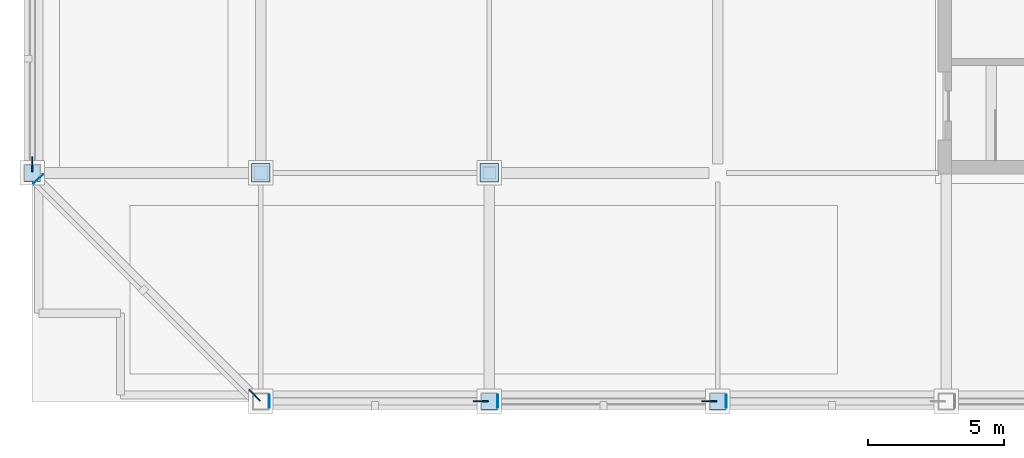
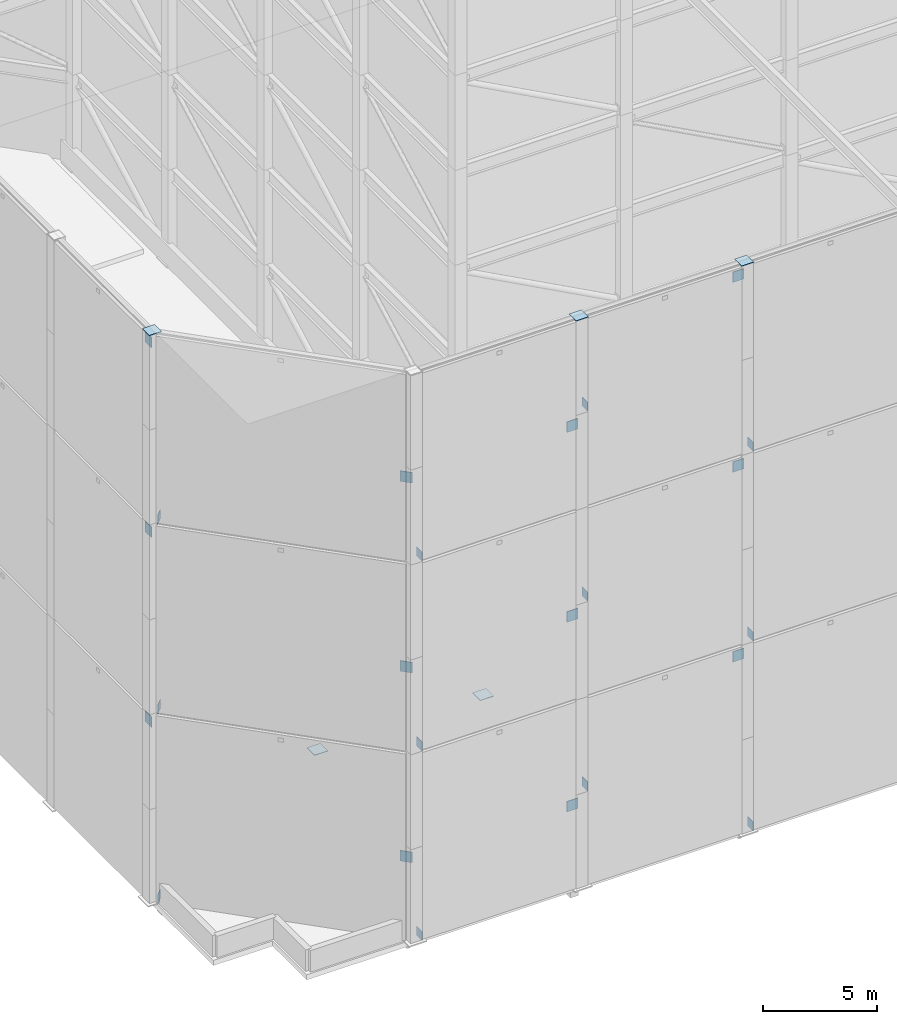
# One storey, part 8 of 17: 29 plates.
"""IFC4 building model written with IfcOpenShell, lengths in metres."""

from ifc_helpers import new_model, si_unit, direction, frame, origin, origin_2d, place, context, subcontext, project, spatial, rectangle, extrude, material, layer, layer_set, type_object, element, save


model = new_model("IFC4")

# Units and contexts
model_context = context("Model", 3, precision=1e-05, world=origin(), true_north=direction((0.0, 1.0)))
body_context = subcontext(model_context, "Body", "Model", "MODEL_VIEW")
ifc_project = project(units=[si_unit("LENGTHUNIT", "METRE"), si_unit("AREAUNIT", "SQUARE_METRE"), si_unit("VOLUMEUNIT", "CUBIC_METRE"), si_unit("PLANEANGLEUNIT", "RADIAN"), si_unit("MASSUNIT", "GRAM", prefix="KILO")], contexts=[model_context])

# Site, building, storey
site_placement = place(None, origin())
site = spatial("IfcSite", under=ifc_project, at=site_placement, CompositionType="ELEMENT")
building_placement = place(site_placement, origin())
building = spatial("IfcBuilding", under=site, at=building_placement, Name="Koriwani Terraces Tower", CompositionType="ELEMENT")
storey_placement = place(building_placement, frame((0.0, 0.0, 374.0)))
storey = spatial("IfcBuildingStorey", under=building, at=storey_placement, Name="RF", CompositionType="ELEMENT", Elevation=374.0)

# Plates
ifc_material = material(Name="Steel ASTM A572 Grade 50", Category="steel")
ifc_layer_1 = layer(ifc_material, 0.02490234375, Name="Steel ASTM A572 Grade 50")
ifc_layer_set_1 = layer_set([ifc_layer_1], Name="Steel ASTM A572 Grade 50")
plate_type_1 = type_object("IfcPlateType", Name="STEEL_CAP_PLATE_25", PredefinedType="USERDEFINED", material=ifc_layer_set_1)
for number, where, z_axis, x_axis, name in (
    (1, (25.199951171875, 8.39990234375, 30.51513671875), (0.0, 0.0, 1.0), (1.0, 0.0, 0.0), "Crown Frame Column Cap Plate EP-02"),
    (2, (33.60009765625, 8.39990234375, 30.51513671875), (0.0, 0.0, 1.0), (1.0, 0.0, 0.0), "Crown Frame Column Cap Plate EP-03"),
    (3, (8.39990234375, 16.800048828125, 30.51513671875), (0.0, 0.0, 1.0), (1.0, 0.0, 0.0), "Crown Frame Column Cap Plate EP-25"),
):
    element("IfcPlate", number, at=place(storey_placement, frame(where, z_axis=z_axis, x_axis=x_axis)), inside=storey, type_object=plate_type_1, Name=name, ObjectType="FLANGE_PLATE", PredefinedType="USERDEFINED", context=body_context, shape_type="SweptSolid", body=[
        extrude(rectangle(XDim=0.6201171875, YDim=0.6201171875, at=origin_2d()), origin(), (0.0, 0.0, 1.0), 0.02490234375),
    ])
for number, where, z_axis, x_axis, name in (
    (4, (16.800048828125, 16.800048828125, 5.090087890625), (0.0, 0.0, 1.0), (1.0, 0.0, 0.0), "Crown Equipment Column Cap Plate EQ-01"),
    (5, (25.199951171875, 16.800048828125, 5.090087890625), (0.0, 0.0, 1.0), (1.0, 0.0, 0.0), "Crown Equipment Column Cap Plate EQ-02"),
):
    element("IfcPlate", number, at=place(storey_placement, frame(where, z_axis=z_axis, x_axis=x_axis)), inside=storey, type_object=plate_type_1, Name=name, ObjectType="FLANGE_PLATE", PredefinedType="USERDEFINED", context=body_context, shape_type="SweptSolid", body=[
        extrude(rectangle(XDim=0.679931640625, YDim=0.679931640625, at=origin_2d()), origin(), (0.0, 0.0, 1.0), 0.02490234375),
    ])
for number, where, z_axis, x_axis, name in (
    (6, (17.115234375, 8.39990234375, -0.02099609375), (0.0, 0.0, 1.0), (1.0, 0.0, 0.0), "Brace End Cap Plate CFBR-T1-S00"),
    (7, (33.915283203125, 8.39990234375, -0.02099609375), (0.0, 0.0, 1.0), (1.0, 0.0, 0.0), "Brace End Cap Plate CFBR-T1-S02"),
    (8, (8.62451171875, 16.575439453125, -0.02587890625), (0.0, 0.0, 1.0), (0.707106781187, -0.707106781187, 0.0), "Brace End Cap Plate CFBR-T1-S24"),
    (9, (25.51513671875, 8.39990234375, 5.06884765625), (0.0, 0.0, 1.0), (1.0, 0.0, 0.0), "Brace End Cap Plate CFBR-T2-S01"),
    (10, (17.115234375, 8.39990234375, 10.158935546875), (0.0, 0.0, 1.0), (1.0, 0.0, 0.0), "Brace End Cap Plate CFBR-T3-S00"),
    (11, (33.915283203125, 8.39990234375, 10.158935546875), (0.0, 0.0, 1.0), (1.0, 0.0, 0.0), "Brace End Cap Plate CFBR-T3-S02"),
    (12, (8.62451171875, 16.575439453125, 10.154052734375), (0.0, 0.0, 1.0), (0.707106781187, -0.707106781187, 0.0), "Brace End Cap Plate CFBR-T3-S24"),
    (13, (25.51513671875, 8.39990234375, 15.2490234375), (0.0, 0.0, 1.0), (1.0, 0.0, 0.0), "Brace End Cap Plate CFBR-T4-S01"),
    (14, (17.115234375, 8.39990234375, 20.3388671875), (0.0, 0.0, 1.0), (1.0, 0.0, 0.0), "Brace End Cap Plate CFBR-T5-S00"),
    (15, (33.915283203125, 8.39990234375, 20.3388671875), (0.0, 0.0, 1.0), (1.0, 0.0, 0.0), "Brace End Cap Plate CFBR-T5-S02"),
    (16, (8.62451171875, 16.575439453125, 20.333984375), (0.0, 0.0, 1.0), (0.707106781187, -0.707106781187, 0.0), "Brace End Cap Plate CFBR-T5-S24"),
    (17, (25.51513671875, 8.39990234375, 25.428955078125), (0.0, 0.0, 1.0), (1.0, 0.0, 0.0), "Brace End Cap Plate CFBR-T6-S01"),
):
    element("IfcPlate", number, at=place(storey_placement, frame(where, z_axis=z_axis, x_axis=x_axis)), inside=storey, type_object=plate_type_1, Name=name, ObjectType="FLANGE_PLATE", PredefinedType="USERDEFINED", context=body_context, shape_type="SweptSolid", body=[
        extrude(rectangle(XDim=0.02490234375, YDim=0.47998046875, at=origin_2d()), origin(), (0.0, 0.0, 1.0), 0.47998046875),
    ])
ifc_layer_2 = layer(ifc_material, 0.0400390625, Name="Steel ASTM A572 Grade 50")
ifc_layer_set_2 = layer_set([ifc_layer_2], Name="Steel ASTM A572 Grade 50")
plate_type_2 = type_object("IfcPlateType", Name="STEEL_GUSSET_PLATE_40", PredefinedType="USERDEFINED", material=ifc_layer_set_2)
for number, where, z_axis, x_axis, name in (
    (18, (24.884765625, 8.39990234375, 4.115966796875), (0.0, 0.0, 1.0), (1.0, 0.0, 0.0), "Brace Node Gusset Plate CFBR-T1-S00"),
    (19, (16.575439453125, 8.62451171875, 4.120849609375), (0.0, 0.0, 1.0), (0.707106781187, -0.707106781187, 0.0), "Brace Node Gusset Plate CFBR-T1-S24"),
    (20, (33.284912109375, 8.39990234375, 9.2060546875), (0.0, 0.0, 1.0), (1.0, 0.0, 0.0), "Brace Node Gusset Plate CFBR-T2-S01"),
    (21, (8.39990234375, 17.115234375, 9.2060546875), (0.0, 0.0, 1.0), (0.0, -1.0, 0.0), "Brace Node Gusset Plate CFBR-T2-S23"),
    (22, (24.884765625, 8.39990234375, 14.296142578125), (0.0, 0.0, 1.0), (1.0, 0.0, 0.0), "Brace Node Gusset Plate CFBR-T3-S00"),
    (23, (16.575439453125, 8.62451171875, 14.301025390625), (0.0, 0.0, 1.0), (0.707106781187, -0.707106781187, 0.0), "Brace Node Gusset Plate CFBR-T3-S24"),
    (24, (33.284912109375, 8.39990234375, 19.38818359375), (0.0, 0.0, 1.0), (1.0, 0.0, 0.0), "Brace Node Gusset Plate CFBR-T4-S01"),
    (25, (8.39990234375, 17.115234375, 19.38818359375), (0.0, 0.0, 1.0), (0.0, -1.0, 0.0), "Brace Node Gusset Plate CFBR-T4-S23"),
    (26, (24.884765625, 8.39990234375, 24.47802734375), (0.0, 0.0, 1.0), (1.0, 0.0, 0.0), "Brace Node Gusset Plate CFBR-T5-S00"),
    (27, (16.575439453125, 8.62451171875, 24.48291015625), (0.0, 0.0, 1.0), (0.707106781187, -0.707106781187, 0.0), "Brace Node Gusset Plate CFBR-T5-S24"),
    (28, (33.284912109375, 8.39990234375, 29.568115234375), (0.0, 0.0, 1.0), (1.0, 0.0, 0.0), "Brace Node Gusset Plate CFBR-T6-S01"),
    (29, (8.39990234375, 17.115234375, 29.568115234375), (0.0, 0.0, 1.0), (0.0, -1.0, 0.0), "Brace Node Gusset Plate CFBR-T6-S23"),
):
    element("IfcPlate", number, at=place(storey_placement, frame(where, z_axis=z_axis, x_axis=x_axis)), inside=storey, type_object=plate_type_2, Name=name, ObjectType="GUSSET_PLATE", PredefinedType="USERDEFINED", context=body_context, shape_type="SweptSolid", body=[
        extrude(rectangle(XDim=0.56005859375, YDim=0.0400390625, at=origin_2d()), origin(), (0.0, 0.0, 1.0), 0.56005859375),
    ])

save(model, "model.ifc")
